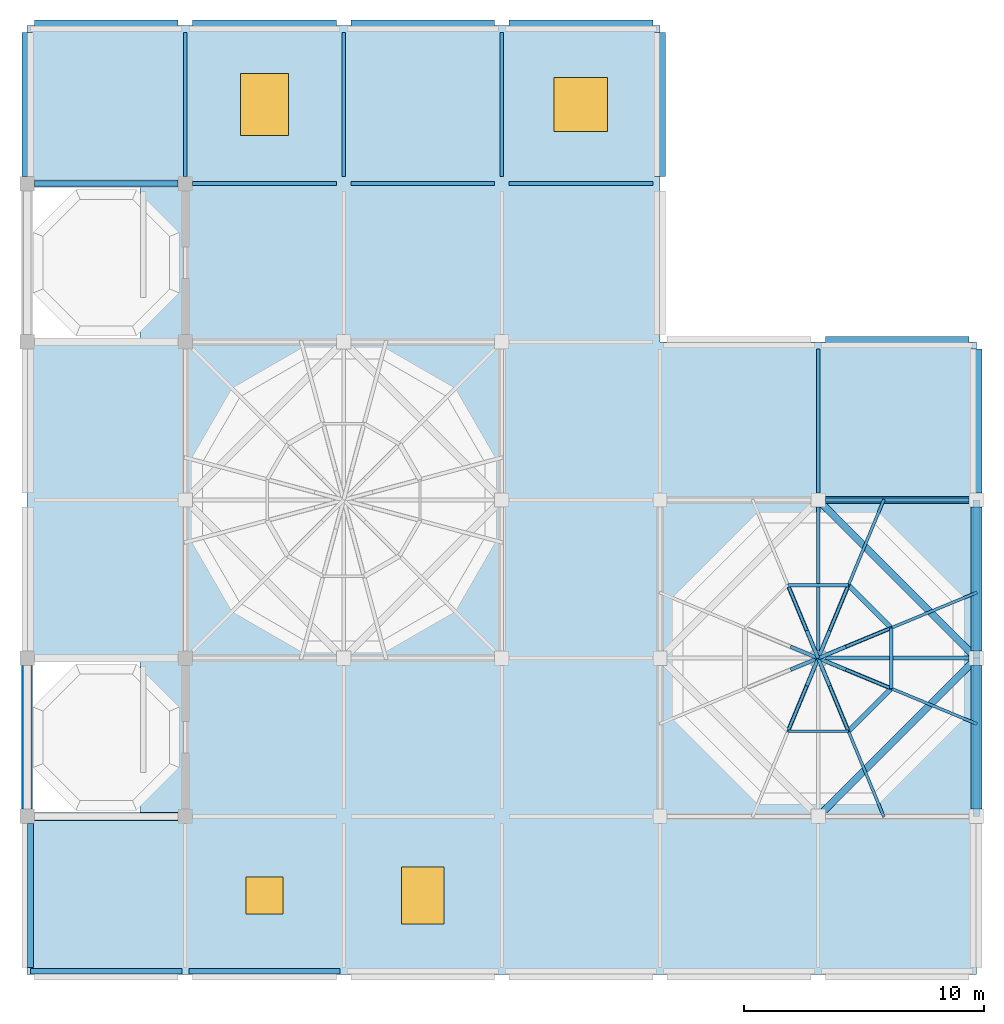
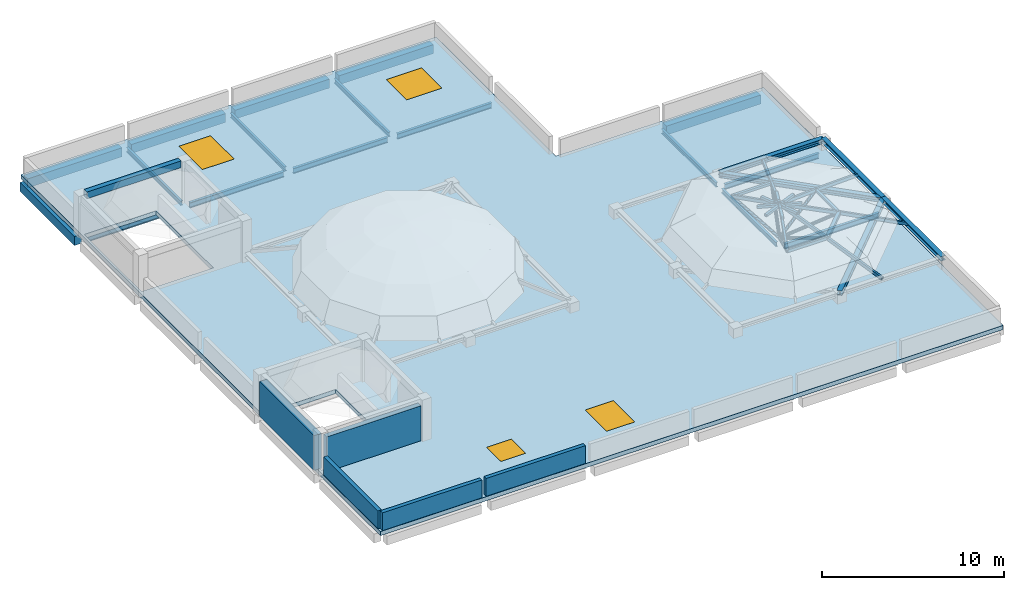
"""IFC4 building model written with IfcOpenShell, lengths in metres."""

from ifc_helpers import new_model, si_unit, direction, frame, frame_2d, origin, origin_2d, place, context, subcontext, project, spatial, polyline, rectangle, hollow_rectangle, hollow_circle, i_section, outline, extrude, material, layer, layer_set, material_profile, profile_set, type_object, element, fill, save


model = new_model("IFC4")

# Units and contexts
model_context = context("Model", 3, precision=1e-05, world=origin(), true_north=direction((0.0, 1.0)))
body_context = subcontext(model_context, "Body", "Model", "MODEL_VIEW")
ifc_project = project(units=[si_unit("LENGTHUNIT", "METRE"), si_unit("AREAUNIT", "SQUARE_METRE"), si_unit("VOLUMEUNIT", "CUBIC_METRE"), si_unit("PLANEANGLEUNIT", "RADIAN"), si_unit("MASSUNIT", "GRAM", prefix="KILO")], contexts=[model_context])

# Site, building, storey
site_placement = place(None, origin())
site = spatial("IfcSite", under=ifc_project, at=site_placement, CompositionType="ELEMENT")
building_placement = place(site_placement, origin())
building = spatial("IfcBuilding", under=site, at=building_placement, Name="Rusizi Kubbe Research Institute", CompositionType="ELEMENT")
storey_1_placement = place(building_placement, frame((0.0, 0.0, 73.199951171875)))
storey_1 = spatial("IfcBuildingStorey", under=building, at=storey_1_placement, Name="ROOF", CompositionType="ELEMENT", Elevation=73.199951171875)

# Beams
ifc_material_1 = material(Name="Steel S355", Category="steel")
ifc_material_profile_1 = material_profile(ifc_material_1, i_section(OverallWidth=0.300048828125, OverallDepth=0.300048828125, WebThickness=0.010986328125, FlangeThickness=0.01904296875, at=origin_2d()), Name="HEB 300")
ifc_profile_set_1 = profile_set([ifc_material_profile_1], Name="Steel S355")
beam_type_1 = type_object("IfcBeamType", Name="BM-HEB300", PredefinedType="BEAM", material=ifc_profile_set_1)
beam_1_placement = place(storey_1_placement, frame((39.60009765625, 6.60009765625, 0.5), z_axis=(0.0, 1.0, 0.0), x_axis=(-1.0, 0.0, 0.0)))
element("IfcBeam", 1, at=beam_1_placement, inside=storey_1, type_object=beam_type_1, Name="Kubbe Dome Ring Beam DOME-CRN2 E1", PredefinedType="BEAM", context=body_context, shape_type="SweptSolid", body=[
    extrude(i_section(OverallWidth=0.300048828125, OverallDepth=0.300048828125, WebThickness=0.010986328125, FlangeThickness=0.01904296875, at=origin_2d()), origin(), (0.0, 0.0, 1.0), 6.599853515625),
])
for number, where, z_axis, x_axis, name in (
    (2, (39.60009765625, 13.199951171875, 0.5), (0.0, 1.0, 0.0), (-1.0, 0.0, 0.0), "Kubbe Dome Ring Beam DOME-CRN2 E2"),
    (3, (33.0, 19.800048828125, 0.5), (1.0, 0.0, 0.0), (0.0, 1.0, 0.0), "Kubbe Dome Ring Beam DOME-CRN2 N2"),
):
    element("IfcBeam", number, at=place(storey_1_placement, frame(where, z_axis=z_axis, x_axis=x_axis)), inside=storey_1, type_object=beam_type_1, Name=name, PredefinedType="BEAM", context=body_context, shape_type="SweptSolid", body=[
        extrude(i_section(OverallWidth=0.300048828125, OverallDepth=0.300048828125, WebThickness=0.010986328125, FlangeThickness=0.01904296875, at=origin_2d()), origin(), (0.0, 0.0, 1.0), 6.60009765625),
    ])
beam_2_placement = place(storey_1_placement, frame((33.0, 6.60009765625, 0.5), z_axis=(0.707119859409, 0.707093702722, 0.0), x_axis=(-0.707093702722, 0.707119859409, 0.0)))
element("IfcBeam", 4, at=beam_2_placement, inside=storey_1, type_object=beam_type_1, Name="Kubbe Dome Ring Beam DOME-CRN2 PSE", PredefinedType="BEAM", context=body_context, shape_type="SweptSolid", body=[
    extrude(i_section(OverallWidth=0.300048828125, OverallDepth=0.300048828125, WebThickness=0.010986328125, FlangeThickness=0.01904296875, at=origin_2d()), origin(), (0.0, 0.0, 1.0), 9.333740234375),
])
beam_3_placement = place(storey_1_placement, frame((39.60009765625, 13.199951171875, 0.5), z_axis=(-0.707106781187, 0.707106781187, 0.0), x_axis=(-0.707106781187, -0.707106781187, 0.0)))
element("IfcBeam", 5, at=beam_3_placement, inside=storey_1, type_object=beam_type_1, Name="Kubbe Dome Ring Beam DOME-CRN2 PNE", PredefinedType="BEAM", context=body_context, shape_type="SweptSolid", body=[
    extrude(i_section(OverallWidth=0.300048828125, OverallDepth=0.300048828125, WebThickness=0.010986328125, FlangeThickness=0.01904296875, at=origin_2d()), origin(), (0.0, 0.0, 1.0), 9.333984375),
])
ifc_material_2 = material(Name="Steel S355", Category="steel")
ifc_material_profile_2 = material_profile(ifc_material_2, i_section(OverallWidth=0.14990234375, OverallDepth=0.300048828125, WebThickness=0.007080078125, FlangeThickness=0.0107421875, at=origin_2d()), Name="IPE 300")
ifc_profile_set_2 = profile_set([ifc_material_profile_2], Name="Steel S355")
beam_type_2 = type_object("IfcBeamType", Name="BM-IPE300", PredefinedType="BEAM", material=ifc_profile_set_2)
for number, where, z_axis, x_axis, name in (
    (6, (6.60009765625, 33.300048828125, -0.429931640625), (0.0, 1.0, 0.0), (-1.0, 0.0, 0.0), "Grid Beam V ROOF (1,5)"),
    (7, (13.199951171875, 33.300048828125, -0.429931640625), (0.0, 1.0, 0.0), (-1.0, 0.0, 0.0), "Grid Beam V ROOF (2,5)"),
    (8, (19.800048828125, 33.300048828125, -0.429931640625), (0.0, 1.0, 0.0), (-1.0, 0.0, 0.0), "Grid Beam V ROOF (3,5)"),
    (9, (33.0, 13.5, -0.429931640625), (0.0, 1.0, 0.0), (-1.0, 0.0, 0.0), "Grid Beam V ROOF (5,2)"),
    (10, (33.0, 20.10009765625, -0.429931640625), (0.0, 1.0, 0.0), (-1.0, 0.0, 0.0), "Grid Beam V ROOF (5,3)"),
):
    element("IfcBeam", number, at=place(storey_1_placement, frame(where, z_axis=z_axis, x_axis=x_axis)), inside=storey_1, type_object=beam_type_2, Name=name, PredefinedType="BEAM", context=body_context, shape_type="SweptSolid", body=[
        extrude(i_section(OverallWidth=0.14990234375, OverallDepth=0.300048828125, WebThickness=0.007080078125, FlangeThickness=0.0107421875, at=origin_2d()), origin(), (0.0, 0.0, 1.0), 6.0),
    ])
ifc_material_3 = material(Name="Steel S355", Category="steel")
ifc_material_profile_3 = material_profile(ifc_material_3, i_section(OverallWidth=0.169921875, OverallDepth=0.360107421875, WebThickness=0.008056640625, FlangeThickness=0.0126953125, at=origin_2d()), Name="IPE 360")
ifc_profile_set_3 = profile_set([ifc_material_profile_3], Name="Steel S355")
beam_type_3 = type_object("IfcBeamType", Name="BM-IPE360", PredefinedType="BEAM", material=ifc_profile_set_3)
for number, where, z_axis, x_axis, name in (
    (11, (0.300048828125, 33.0, -0.4599609375), (1.0, 0.0, 0.0), (0.0, 1.0, 0.0), "Grid Beam H ROOF (0,5)"),
    (12, (6.89990234375, 33.0, -0.4599609375), (1.0, 0.0, 0.0), (0.0, 1.0, 0.0), "Grid Beam H ROOF (1,5)"),
    (13, (13.5, 33.0, -0.4599609375), (1.0, 0.0, 0.0), (0.0, 1.0, 0.0), "Grid Beam H ROOF (2,5)"),
    (14, (20.10009765625, 33.0, -0.4599609375), (1.0, 0.0, 0.0), (0.0, 1.0, 0.0), "Grid Beam H ROOF (3,5)"),
    (15, (33.300048828125, 13.199951171875, -0.4599609375), (1.0, 0.0, 0.0), (0.0, 1.0, 0.0), "Grid Beam H ROOF (5,2)"),
    (16, (33.300048828125, 19.800048828125, -0.4599609375), (1.0, 0.0, 0.0), (0.0, 1.0, 0.0), "Grid Beam H ROOF (5,3)"),
):
    element("IfcBeam", number, at=place(storey_1_placement, frame(where, z_axis=z_axis, x_axis=x_axis)), inside=storey_1, type_object=beam_type_3, Name=name, PredefinedType="BEAM", context=body_context, shape_type="SweptSolid", body=[
        extrude(i_section(OverallWidth=0.169921875, OverallDepth=0.360107421875, WebThickness=0.008056640625, FlangeThickness=0.0126953125, at=origin_2d()), origin(), (0.0, 0.0, 1.0), 6.0),
    ])
ifc_material_4 = material(Name="Concrete C40/50", Category="concrete")
ifc_material_profile_4 = material_profile(ifc_material_4, rectangle(XDim=0.300048828125, YDim=0.449951171875, at=origin_2d()), Name="RC300x450")
ifc_profile_set_4 = profile_set([ifc_material_profile_4], Name="Concrete C40/50")
beam_type_4 = type_object("IfcBeamType", Name="BM-RC300x450", PredefinedType="LINTEL", material=ifc_profile_set_4)
beam_4_placement = place(storey_1_placement, frame((0.300048828125, 33.0, 2.574951171875), z_axis=(1.0, 0.0, 0.0), x_axis=(0.0, 1.0, 0.0)))
element("IfcBeam", 17, at=beam_4_placement, inside=storey_1, type_object=beam_type_4, Name="Roof Stair Headhouse Beam ST2 North", PredefinedType="LINTEL", context=body_context, shape_type="SweptSolid", body=[
    extrude(rectangle(XDim=0.300048828125, YDim=0.449951171875, at=origin_2d()), origin(), (0.0, 0.0, 1.0), 6.0),
])
ifc_material_5 = material(Name="Concrete C40/50", Category="concrete")
ifc_material_profile_5 = material_profile(ifc_material_5, rectangle(XDim=0.449951171875, YDim=0.60009765625, at=origin_2d()), Name="RC450x600")
ifc_profile_set_5 = profile_set([ifc_material_profile_5], Name="Concrete C40/50")
beam_type_5 = type_object("IfcBeamType", Name="BM-RC450x600", PredefinedType="SPANDREL", material=ifc_profile_set_5)
for number, where, z_axis, x_axis, name in (
    (18, (0.300048828125, 39.60009765625, -0.579833984375), (1.0, 0.0, 0.0), (0.0, 1.0, 0.0), "Grid Beam H ROOF (0,6)"),
    (19, (6.89990234375, 39.60009765625, -0.579833984375), (1.0, 0.0, 0.0), (0.0, 1.0, 0.0), "Grid Beam H ROOF (1,6)"),
    (20, (13.5, 39.60009765625, -0.579833984375), (1.0, 0.0, 0.0), (0.0, 1.0, 0.0), "Grid Beam H ROOF (2,6)"),
    (21, (20.10009765625, 39.60009765625, -0.579833984375), (1.0, 0.0, 0.0), (0.0, 1.0, 0.0), "Grid Beam H ROOF (3,6)"),
    (22, (33.300048828125, 26.39990234375, -0.579833984375), (1.0, 0.0, 0.0), (0.0, 1.0, 0.0), "Grid Beam H ROOF (5,4)"),
    (23, (0.0, 33.300048828125, -0.579833984375), (0.0, 1.0, 0.0), (-1.0, 0.0, 0.0), "Grid Beam V ROOF (0,5)"),
    (24, (26.39990234375, 33.300048828125, -0.579833984375), (0.0, 1.0, 0.0), (-1.0, 0.0, 0.0), "Grid Beam V ROOF (4,5)"),
    (25, (39.60009765625, 6.89990234375, -0.579833984375), (0.0, 1.0, 0.0), (-1.0, 0.0, 0.0), "Grid Beam V ROOF (6,1)"),
    (26, (39.60009765625, 13.5, -0.579833984375), (0.0, 1.0, 0.0), (-1.0, 0.0, 0.0), "Grid Beam V ROOF (6,2)"),
    (27, (39.60009765625, 20.10009765625, -0.579833984375), (0.0, 1.0, 0.0), (-1.0, 0.0, 0.0), "Grid Beam V ROOF (6,3)"),
):
    element("IfcBeam", number, at=place(storey_1_placement, frame(where, z_axis=z_axis, x_axis=x_axis)), inside=storey_1, type_object=beam_type_5, Name=name, PredefinedType="SPANDREL", context=body_context, shape_type="SweptSolid", body=[
        extrude(rectangle(XDim=0.449951171875, YDim=0.60009765625, at=origin_2d()), origin(), (0.0, 0.0, 1.0), 6.0),
    ])

# Members
ifc_material_6 = material(Name="Steel S355", Category="steel")
ifc_material_profile_6 = material_profile(ifc_material_6, hollow_circle(Radius=0.084228515625, WallThickness=0.00634765625, at=origin_2d()), Name="CHS 168.3x6.3")
ifc_profile_set_6 = profile_set([ifc_material_profile_6], Name="Steel S355")
member_type_1 = type_object("IfcMemberType", Name="MB-CHS168", PredefinedType="STRUT", material=ifc_profile_set_6)
for number, where, z_axis, x_axis, name in (
    (28, (33.0, 13.199951171875, 0.199951171875), (0.850962654289, 0.352500785605, 0.389365839735), (-0.382702441477, 0.92387165845, 0.0), "Kubbe Radial King-Post Strut DOME-CRN2-1"),
    (29, (33.0, 13.199951171875, 0.199951171875), (0.352500785605, 0.850962654289, 0.389365839735), (-0.92387165845, 0.382702441477, 0.0), "Kubbe Radial King-Post Strut DOME-CRN2-2"),
    (30, (33.0, 13.199951171875, 0.199951171875), (-0.352500785605, 0.850962654289, 0.389365839735), (-0.92387165845, -0.382702441477, 0.0), "Kubbe Radial King-Post Strut DOME-CRN2-3"),
    (31, (33.0, 13.199951171875, 0.199951171875), (-0.352500785605, -0.850962654289, 0.389365839735), (0.92387165845, -0.382702441477, 0.0), "Kubbe Radial King-Post Strut DOME-CRN2-6"),
    (32, (33.0, 13.199951171875, 0.199951171875), (0.352500785605, -0.850962654289, 0.389365839735), (0.92387165845, 0.382702441477, 0.0), "Kubbe Radial King-Post Strut DOME-CRN2-7"),
    (33, (33.0, 13.199951171875, 0.199951171875), (0.850983093394, -0.352441108187, 0.389375191836), (0.382639293348, 0.923897814256, 0.0), "Kubbe Radial King-Post Strut DOME-CRN2-8"),
):
    element("IfcMember", number, at=place(storey_1_placement, frame(where, z_axis=z_axis, x_axis=x_axis)), inside=storey_1, type_object=member_type_1, Name=name, PredefinedType="STRUT", context=body_context, shape_type="SweptSolid", body=[
        extrude(hollow_circle(Radius=0.084228515625, WallThickness=0.00634765625, at=origin_2d()), origin(), (0.0, 0.0, 1.0), 3.582763671875),
    ])
ifc_material_7 = material(Name="Steel S355", Category="steel")
ifc_material_profile_7 = material_profile(ifc_material_7, hollow_rectangle(XDim=0.10009765625, YDim=0.179931640625, WallThickness=0.008056640625, at=origin_2d()), Name="RHS 180x100x8.0")
ifc_profile_set_7 = profile_set([ifc_material_profile_7], Name="Steel S355")
member_type_2 = type_object("IfcMemberType", Name="MB-RHS180", PredefinedType="PURLIN", material=ifc_profile_set_7)
member_1_placement = place(storey_1_placement, frame((31.737060546875, 10.151123046875, 1.594970703125), z_axis=(1.0, 0.0, 0.0), x_axis=(0.0, 1.0, 0.0)))
element("IfcMember", 34, at=member_1_placement, inside=storey_1, type_object=member_type_2, Name="Kubbe Vault Hoop Purlin Mid DOME-CRN2-6", PredefinedType="PURLIN", context=body_context, shape_type="SweptSolid", body=[
    extrude(hollow_rectangle(XDim=0.10009765625, YDim=0.179931640625, WallThickness=0.008056640625, at=origin_2d()), origin(), (0.0, 0.0, 1.0), 2.52587890625),
])
ifc_material_8 = material(Name="Steel S355", Category="steel")
ifc_material_profile_8 = material_profile(ifc_material_8, hollow_rectangle(XDim=0.1201171875, YDim=0.199951171875, WallThickness=0.008056640625, at=origin_2d()), Name="RHS 200x120x8.0")
ifc_profile_set_8 = profile_set([ifc_material_profile_8], Name="Steel S355")
member_type_3 = type_object("IfcMemberType", Name="MB-RHS200", PredefinedType="RAFTER", material=ifc_profile_set_8)
member_2_placement = place(storey_1_placement, frame((39.60009765625, 15.933837890625, 0.5), z_axis=(-0.888535109742, -0.36803410121, 0.273963974096), x_axis=(0.38267527446, -0.923882911584, 0.0)))
element("IfcMember", 35, at=member_2_placement, inside=storey_1, type_object=member_type_3, Name="Kubbe Arch Rib Lower DOME-CRN2-1", PredefinedType="RAFTER", context=body_context, shape_type="SweptSolid", body=[
    extrude(hollow_rectangle(XDim=0.1201171875, YDim=0.199951171875, WallThickness=0.008056640625, at=origin_2d()), origin(), (0.0, 0.0, 1.0), 3.996826171875),
])
member_3_placement = place(storey_1_placement, frame((36.048828125, 14.462890625, 1.594970703125), z_axis=(-0.892339932443, -0.369640812823, 0.259027246565), x_axis=(0.382702441477, -0.92387165845, 0.0)))
element("IfcMember", 36, at=member_3_placement, inside=storey_1, type_object=member_type_3, Name="Kubbe Arch Rib Upper DOME-CRN2-1", PredefinedType="RAFTER", context=body_context, shape_type="SweptSolid", body=[
    extrude(hollow_rectangle(XDim=0.1201171875, YDim=0.199951171875, WallThickness=0.008056640625, at=origin_2d()), origin(), (0.0, 0.0, 1.0), 3.416748046875),
])
member_4_placement = place(storey_1_placement, frame((35.73388671875, 19.800048828125, 0.5), z_axis=(-0.36803410121, -0.888535109742, 0.273963974096), x_axis=(0.923882911584, -0.38267527446, 0.0)))
element("IfcMember", 37, at=member_4_placement, inside=storey_1, type_object=member_type_3, Name="Kubbe Arch Rib Lower DOME-CRN2-2", PredefinedType="RAFTER", context=body_context, shape_type="SweptSolid", body=[
    extrude(hollow_rectangle(XDim=0.1201171875, YDim=0.199951171875, WallThickness=0.008056640625, at=origin_2d()), origin(), (0.0, 0.0, 1.0), 3.996826171875),
])
for number, where, z_axis, x_axis, name in (
    (38, (34.262939453125, 16.248779296875, 1.594970703125), (-0.369640812823, -0.892339932443, 0.259027246565), (0.92387165845, -0.382702441477, 0.0), "Kubbe Arch Rib Upper DOME-CRN2-2"),
    (39, (31.737060546875, 16.248779296875, 1.594970703125), (0.369640812823, -0.892339932443, 0.259027246565), (0.92387165845, 0.382702441477, 0.0), "Kubbe Arch Rib Upper DOME-CRN2-3"),
    (40, (31.737060546875, 10.151123046875, 1.594970703125), (0.369640812823, 0.892339932443, 0.259027246565), (-0.92387165845, 0.382702441477, 0.0), "Kubbe Arch Rib Upper DOME-CRN2-6"),
):
    element("IfcMember", number, at=place(storey_1_placement, frame(where, z_axis=z_axis, x_axis=x_axis)), inside=storey_1, type_object=member_type_3, Name=name, PredefinedType="RAFTER", context=body_context, shape_type="SweptSolid", body=[
        extrude(hollow_rectangle(XDim=0.1201171875, YDim=0.199951171875, WallThickness=0.008056640625, at=origin_2d()), origin(), (0.0, 0.0, 1.0), 3.416748046875),
    ])
member_5_placement = place(storey_1_placement, frame((35.73388671875, 6.60009765625, 0.5), z_axis=(-0.368054077466, 0.888522250081, 0.273978844387), x_axis=(-0.923873609669, -0.382697731059, 0.0)))
element("IfcMember", 41, at=member_5_placement, inside=storey_1, type_object=member_type_3, Name="Kubbe Arch Rib Lower DOME-CRN2-7", PredefinedType="RAFTER", context=body_context, shape_type="SweptSolid", body=[
    extrude(hollow_rectangle(XDim=0.1201171875, YDim=0.199951171875, WallThickness=0.008056640625, at=origin_2d()), origin(), (0.0, 0.0, 1.0), 3.99658203125),
])
member_6_placement = place(storey_1_placement, frame((34.262939453125, 10.151123046875, 1.594970703125), z_axis=(-0.369640812823, 0.892339932443, 0.259027246565), x_axis=(-0.92387165845, -0.382702441477, 0.0)))
element("IfcMember", 42, at=member_6_placement, inside=storey_1, type_object=member_type_3, Name="Kubbe Arch Rib Upper DOME-CRN2-7", PredefinedType="RAFTER", context=body_context, shape_type="SweptSolid", body=[
    extrude(hollow_rectangle(XDim=0.1201171875, YDim=0.199951171875, WallThickness=0.008056640625, at=origin_2d()), origin(), (0.0, 0.0, 1.0), 3.416748046875),
])
member_7_placement = place(storey_1_placement, frame((39.60009765625, 10.46630859375, 0.5), z_axis=(-0.888535109742, 0.36803410121, 0.273963974096), x_axis=(-0.38267527446, -0.923882911584, 0.0)))
element("IfcMember", 43, at=member_7_placement, inside=storey_1, type_object=member_type_3, Name="Kubbe Arch Rib Lower DOME-CRN2-8", PredefinedType="RAFTER", context=body_context, shape_type="SweptSolid", body=[
    extrude(hollow_rectangle(XDim=0.1201171875, YDim=0.199951171875, WallThickness=0.008056640625, at=origin_2d()), origin(), (0.0, 0.0, 1.0), 3.996826171875),
])
member_8_placement = place(storey_1_placement, frame((36.048828125, 11.937255859375, 1.594970703125), z_axis=(-0.892363500453, 0.369579117901, 0.259034087856), x_axis=(-0.382639293348, -0.923897814256, 0.0)))
element("IfcMember", 44, at=member_8_placement, inside=storey_1, type_object=member_type_3, Name="Kubbe Arch Rib Upper DOME-CRN2-8", PredefinedType="RAFTER", context=body_context, shape_type="SweptSolid", body=[
    extrude(hollow_rectangle(XDim=0.1201171875, YDim=0.199951171875, WallThickness=0.008056640625, at=origin_2d()), origin(), (0.0, 0.0, 1.0), 3.41650390625),
])
ifc_material_9 = material(Name="Steel S355", Category="steel")
ifc_material_profile_9 = material_profile(ifc_material_9, hollow_rectangle(XDim=0.14990234375, YDim=0.14990234375, WallThickness=0.008056640625, at=origin_2d()), Name="SHS 150x150x8.0")
ifc_profile_set_9 = profile_set([ifc_material_profile_9], Name="Steel S355")
member_type_4 = type_object("IfcMemberType", Name="MB-SHS150", PredefinedType="PURLIN", material=ifc_profile_set_9)
member_9_placement = place(storey_1_placement, frame((33.0, 13.199951171875, 2.400146484375), z_axis=(0.923826362943, 0.382811769845, 0.0), x_axis=(-0.382811769845, 0.923826362943, 0.0)))
element("IfcMember", 45, at=member_9_placement, inside=storey_1, type_object=member_type_4, Name="Kubbe Crown Collar DOME-CRN2-1", PredefinedType="PURLIN", context=body_context, shape_type="SweptSolid", body=[
    extrude(hollow_rectangle(XDim=0.14990234375, YDim=0.14990234375, WallThickness=0.008056640625, at=origin_2d()), origin(), (0.0, 0.0, 1.0), 1.25),
])
member_10_placement = place(storey_1_placement, frame((34.262939453125, 16.248779296875, 1.594970703125), z_axis=(-1.0, 0.0, 0.0), x_axis=(0.0, -1.0, 0.0)))
element("IfcMember", 46, at=member_10_placement, inside=storey_1, type_object=member_type_4, Name="Kubbe Vault Hoop Purlin Mid DOME-CRN2-2", PredefinedType="PURLIN", context=body_context, shape_type="SweptSolid", body=[
    extrude(hollow_rectangle(XDim=0.14990234375, YDim=0.14990234375, WallThickness=0.008056640625, at=origin_2d()), origin(), (0.0, 0.0, 1.0), 2.52587890625),
])
for number, where, z_axis, x_axis, name in (
    (47, (33.0, 13.199951171875, 2.400146484375), (0.382645061011, 0.923895425513, 0.0), (-0.923895425513, 0.382645061011, 0.0), "Kubbe Crown Collar DOME-CRN2-2"),
    (48, (33.0, 13.199951171875, 2.400146484375), (-0.382645061011, 0.923895425513, 0.0), (-0.923895425513, -0.382645061011, 0.0), "Kubbe Crown Collar DOME-CRN2-3"),
    (49, (33.0, 13.199951171875, 2.400146484375), (-0.923826362943, 0.382811769845, 0.0), (-0.382811769845, -0.923826362943, 0.0), "Kubbe Crown Collar DOME-CRN2-4"),
    (50, (33.0, 13.199951171875, 2.400146484375), (-0.923895425513, -0.382645061011, 0.0), (0.382645061011, -0.923895425513, 0.0), "Kubbe Crown Collar DOME-CRN2-5"),
    (51, (33.0, 13.199951171875, 2.400146484375), (-0.382645061011, -0.923895425513, 0.0), (0.923895425513, -0.382645061011, 0.0), "Kubbe Crown Collar DOME-CRN2-6"),
    (52, (33.0, 13.199951171875, 2.400146484375), (0.382645061011, -0.923895425513, 0.0), (0.923895425513, 0.382645061011, 0.0), "Kubbe Crown Collar DOME-CRN2-7"),
):
    element("IfcMember", number, at=place(storey_1_placement, frame(where, z_axis=z_axis, x_axis=x_axis)), inside=storey_1, type_object=member_type_4, Name=name, PredefinedType="PURLIN", context=body_context, shape_type="SweptSolid", body=[
        extrude(hollow_rectangle(XDim=0.14990234375, YDim=0.14990234375, WallThickness=0.008056640625, at=origin_2d()), origin(), (0.0, 0.0, 1.0), 1.25),
    ])
member_11_placement = place(storey_1_placement, frame((36.048828125, 11.937255859375, 1.594970703125), z_axis=(0.0, 1.0, 0.0), x_axis=(-1.0, 0.0, 0.0)))
element("IfcMember", 53, at=member_11_placement, inside=storey_1, type_object=member_type_4, Name="Kubbe Vault Hoop Purlin Mid DOME-CRN2-8", PredefinedType="PURLIN", context=body_context, shape_type="SweptSolid", body=[
    extrude(hollow_rectangle(XDim=0.14990234375, YDim=0.14990234375, WallThickness=0.008056640625, at=origin_2d()), origin(), (0.0, 0.0, 1.0), 2.525634765625),
])
member_12_placement = place(storey_1_placement, frame((33.0, 13.199951171875, 2.400146484375), z_axis=(0.923895425513, -0.382645061011, 0.0), x_axis=(0.382645061011, 0.923895425513, 0.0)))
element("IfcMember", 54, at=member_12_placement, inside=storey_1, type_object=member_type_4, Name="Kubbe Crown Collar DOME-CRN2-8", PredefinedType="PURLIN", context=body_context, shape_type="SweptSolid", body=[
    extrude(hollow_rectangle(XDim=0.14990234375, YDim=0.14990234375, WallThickness=0.008056640625, at=origin_2d()), origin(), (0.0, 0.0, 1.0), 1.25),
])
ifc_material_10 = material(Name="Steel S355", Category="steel")
ifc_material_profile_10 = material_profile(ifc_material_10, hollow_rectangle(XDim=0.199951171875, YDim=0.199951171875, WallThickness=0.010009765625, at=origin_2d()), Name="SHS 200x200x10.0")
ifc_profile_set_10 = profile_set([ifc_material_profile_10], Name="Steel S355")
member_type_5 = type_object("IfcMemberType", Name="MB-SHS200", PredefinedType="PURLIN", material=ifc_profile_set_10)
member_13_placement = place(storey_1_placement, frame((36.048828125, 14.462890625, 1.594970703125), z_axis=(-0.707106781187, 0.707106781187, 0.0), x_axis=(-0.707106781187, -0.707106781187, 0.0)))
element("IfcMember", 55, at=member_13_placement, inside=storey_1, type_object=member_type_5, Name="Kubbe Vault Hoop Purlin Mid DOME-CRN2-1", PredefinedType="PURLIN", context=body_context, shape_type="SweptSolid", body=[
    extrude(hollow_rectangle(XDim=0.199951171875, YDim=0.199951171875, WallThickness=0.010009765625, at=origin_2d()), origin(), (0.0, 0.0, 1.0), 2.525634765625),
])
member_14_placement = place(storey_1_placement, frame((34.262939453125, 10.151123046875, 1.594970703125), z_axis=(0.707058450181, 0.707155108889, 0.0), x_axis=(-0.707155108889, 0.707058450181, 0.0)))
element("IfcMember", 56, at=member_14_placement, inside=storey_1, type_object=member_type_5, Name="Kubbe Vault Hoop Purlin Mid DOME-CRN2-7", PredefinedType="PURLIN", context=body_context, shape_type="SweptSolid", body=[
    extrude(hollow_rectangle(XDim=0.199951171875, YDim=0.199951171875, WallThickness=0.010009765625, at=origin_2d()), origin(), (0.0, 0.0, 1.0), 2.52587890625),
])

# Slab, openings
ifc_material_11 = material(Name="Concrete C40/50", Category="concrete")
ifc_layer_1 = layer(ifc_material_11, 0.280029296875)
ifc_layer_set_1 = layer_set([ifc_layer_1], Name="Concrete C40/50")
slab_type = type_object("IfcSlabType", Name="SL-R280", PredefinedType="ROOF", material=ifc_layer_set_1)
slab_placement = place(storey_1_placement, frame((0.0, 0.0, -0.280029296875)))
slab = element("IfcSlab", 57, at=slab_placement, inside=storey_1, type_object=slab_type, Name="Main Tower Roof Slab L16", PredefinedType="ROOF", context=body_context, shape_type="SweptSolid", body=[
    extrude(outline(polyline([(0.0, 33.0), (0.0, 39.60009765625), (6.60009765625, 39.60009765625), (13.199951171875, 39.60009765625), (19.800048828125, 39.60009765625), (26.39990234375, 39.60009765625), (26.39990234375, 33.0), (26.39990234375, 26.39990234375), (33.0, 26.39990234375), (39.60009765625, 26.39990234375), (39.60009765625, 19.800048828125), (39.60009765625, 13.199951171875), (39.60009765625, 6.60009765625), (39.60009765625, 0.0), (33.0, 0.0), (26.39990234375, 0.0), (19.800048828125, 0.0), (13.199951171875, 0.0), (6.60009765625, 0.0), (0.0, 0.0), (0.0, 6.60009765625), (0.0, 13.199951171875), (0.0, 19.800048828125), (0.0, 26.39990234375), (0.0, 33.0)]), holes=[polyline([(4.699951171875, 6.739990234375), (4.699951171875, 13.06005859375), (0.139892578125, 13.06005859375), (0.139892578125, 6.739990234375), (4.699951171875, 6.739990234375)]), polyline([(4.699951171875, 26.5400390625), (4.699951171875, 32.860107421875), (0.139892578125, 32.860107421875), (0.139892578125, 26.5400390625), (4.699951171875, 26.5400390625)])]), origin(), (0.0, 0.0, 1.0), 0.280029296875),
])
opening_1_placement = place(slab_placement, frame((9.89990234375, 3.300048828125, -0.010009765625)))
opening_1 = element("IfcOpeningElement", 58, at=opening_1_placement, cuts=slab, Name="Opening SK-01", PredefinedType="OPENING", context=body_context, shape_type="SweptSolid", body=[
    extrude(rectangle(XDim=1.56005859375, YDim=1.56005859375, at=origin_2d()), origin(), (0.0, 0.0, 1.0), 0.300048828125),
])
opening_2_placement = place(slab_placement, frame((16.5, 3.300048828125, -0.010009765625)))
opening_2 = element("IfcOpeningElement", 59, at=opening_2_placement, cuts=slab, Name="Opening SK-02", PredefinedType="OPENING", context=body_context, shape_type="SweptSolid", body=[
    extrude(rectangle(XDim=1.780029296875, YDim=2.360107421875, at=origin_2d()), origin(), (0.0, 0.0, 1.0), 0.300048828125),
])
opening_3_placement = place(slab_placement, frame((9.89990234375, 36.300048828125, -0.010009765625)))
opening_3 = element("IfcOpeningElement", 60, at=opening_3_placement, cuts=slab, Name="Opening SK-03", PredefinedType="OPENING", context=body_context, shape_type="SweptSolid", body=[
    extrude(rectangle(XDim=2.02001953125, YDim=2.580078125, at=origin_2d()), origin(), (0.0, 0.0, 1.0), 0.300048828125),
])
opening_4_placement = place(slab_placement, frame((23.10009765625, 36.300048828125, -0.010009765625)))
opening_4 = element("IfcOpeningElement", 61, at=opening_4_placement, cuts=slab, Name="Opening SK-04", PredefinedType="OPENING", context=body_context, shape_type="SweptSolid", body=[
    extrude(rectangle(XDim=2.239990234375, YDim=2.239990234375, at=origin_2d()), origin(), (0.0, 0.0, 1.0), 0.300048828125),
])

# Storey
storey_2_placement = place(building_placement, frame((0.0, 0.0, 69.0)))
storey_2 = spatial("IfcBuildingStorey", under=building, at=storey_2_placement, Name="L16", CompositionType="ELEMENT", Elevation=69.0)

# Window
ifc_material_12 = material(Name="Laminated Insulated Roof Glazing", Category="glass")
window_type_1 = type_object("IfcWindowType", Name="SK-01", PartitioningType="SINGLE_PANEL", PredefinedType="SKYLIGHT", material=ifc_material_12)
window_1_placement = place(slab_placement, frame((9.89990234375, 3.300048828125, 0.22998046875)))
window_1 = element("IfcWindow", 62, at=window_1_placement, inside=storey_2, type_object=window_type_1, Name="Roof Skylight SK-01-09", OverallHeight=1.56005859375, OverallWidth=1.56005859375, PartitioningType="SINGLE_PANEL", PredefinedType="SKYLIGHT", context=body_context, shape_type="SweptSolid", body=[
    extrude(rectangle(XDim=1.56005859375, YDim=1.56005859375, at=origin_2d()), origin(), (0.0, 0.0, 1.0), 0.050048828125),
])

fill(opening_1, window_1)

ifc_material_13 = material(Name="Laminated Insulated Roof Glazing", Category="glass")
window_type_2 = type_object("IfcWindowType", Name="SK-02", PartitioningType="SINGLE_PANEL", PredefinedType="SKYLIGHT", material=ifc_material_13)
window_2_placement = place(slab_placement, frame((16.5, 3.300048828125, 0.22998046875)))
window_2 = element("IfcWindow", 63, at=window_2_placement, inside=storey_2, type_object=window_type_2, Name="Roof Skylight SK-02-10", OverallHeight=2.360107421875, OverallWidth=1.780029296875, PartitioningType="SINGLE_PANEL", PredefinedType="SKYLIGHT", context=body_context, shape_type="SweptSolid", body=[
    extrude(rectangle(XDim=1.780029296875, YDim=2.360107421875, at=origin_2d()), origin(), (0.0, 0.0, 1.0), 0.050048828125),
])

fill(opening_2, window_2)

ifc_material_14 = material(Name="Laminated Insulated Roof Glazing", Category="glass")
window_type_3 = type_object("IfcWindowType", Name="SK-03", PartitioningType="SINGLE_PANEL", PredefinedType="SKYLIGHT", material=ifc_material_14)
window_3_placement = place(slab_placement, frame((9.89990234375, 36.300048828125, 0.22998046875)))
window_3 = element("IfcWindow", 64, at=window_3_placement, inside=storey_2, type_object=window_type_3, Name="Roof Skylight SK-03-11", OverallHeight=2.580078125, OverallWidth=2.02001953125, PartitioningType="SINGLE_PANEL", PredefinedType="SKYLIGHT", context=body_context, shape_type="SweptSolid", body=[
    extrude(rectangle(XDim=2.02001953125, YDim=2.580078125, at=origin_2d()), origin(), (0.0, 0.0, 1.0), 0.050048828125),
])

fill(opening_3, window_3)

ifc_material_15 = material(Name="Laminated Insulated Roof Glazing", Category="glass")
window_type_4 = type_object("IfcWindowType", Name="SK-04", PartitioningType="SINGLE_PANEL", PredefinedType="SKYLIGHT", material=ifc_material_15)
window_4_placement = place(slab_placement, frame((23.10009765625, 36.300048828125, 0.22998046875)))
window_4 = element("IfcWindow", 65, at=window_4_placement, inside=storey_2, type_object=window_type_4, Name="Roof Skylight SK-04-12", OverallHeight=2.239990234375, OverallWidth=2.239990234375, PartitioningType="SINGLE_PANEL", PredefinedType="SKYLIGHT", context=body_context, shape_type="SweptSolid", body=[
    extrude(rectangle(XDim=2.239990234375, YDim=2.239990234375, at=origin_2d()), origin(), (0.0, 0.0, 1.0), 0.050048828125),
])

fill(opening_4, window_4)

# Walls
ifc_material_16 = material(Name="Volcanic Basalt Ashlar Masonry", Category="masonry")
ifc_layer_2 = layer(ifc_material_16, 0.324951171875)
ifc_layer_set_2 = layer_set([ifc_layer_2], Name="Volcanic Basalt Ashlar Masonry")
wall_type_1 = type_object("IfcWallType", Name="EW-08", PredefinedType="SOLIDWALL", material=ifc_layer_set_2)
wall_1_placement = place(storey_1_placement, frame((0.300048828125, 6.60009765625, 0.0), z_axis=(0.0, 0.0, 1.0), x_axis=(1.0, 0.0, 0.0)))
element("IfcWall", 66, at=wall_1_placement, inside=storey_1, type_object=wall_type_1, Name="Roof Stair Headhouse Wall ST1 South", PredefinedType="SOLIDWALL", context=body_context, shape_type="SweptSolid", body=[
    extrude(rectangle(XDim=6.0, YDim=0.324951171875, at=frame_2d((3.0, 0.0))), origin(), (0.0, 0.0, 1.0), 2.35009765625),
])
ifc_material_17 = material(Name="Volcanic Basalt Ashlar Masonry", Category="masonry")
ifc_layer_3 = layer(ifc_material_17, 0.239990234375)
ifc_layer_set_3 = layer_set([ifc_layer_3], Name="Volcanic Basalt Ashlar Masonry")
wall_type_2 = type_object("IfcWallType", Name="PRP-01", PredefinedType="PARAPET", material=ifc_layer_set_3)
wall_2_placement = place(storey_1_placement, frame((0.139892578125, 0.139892578125, 0.0), z_axis=(0.0, 0.0, 1.0), x_axis=(1.0, 0.0, 0.0)))
element("IfcWall", 67, at=wall_2_placement, inside=storey_1, type_object=wall_type_2, Name="Main Crown Roof Parapet 01", PredefinedType="PARAPET", context=body_context, shape_type="SweptSolid", body=[
    extrude(rectangle(XDim=6.320068359375, YDim=0.239990234375, at=frame_2d((3.16015625, 0.0))), origin(), (0.0, 0.0, 1.0), 1.199951171875),
])
wall_3_placement = place(storey_1_placement, frame((0.139892578125, 0.300048828125, 0.0), z_axis=(0.0, 0.0, 1.0), x_axis=(0.0, 1.0, 0.0)))
element("IfcWall", 68, at=wall_3_placement, inside=storey_1, type_object=wall_type_2, Name="Main Crown Roof Parapet 02", PredefinedType="PARAPET", context=body_context, shape_type="SweptSolid", body=[
    extrude(rectangle(XDim=6.0, YDim=0.239990234375, at=frame_2d((3.0, 0.0))), origin(), (0.0, 0.0, 1.0), 1.199951171875),
])
wall_4_placement = place(storey_1_placement, frame((6.739990234375, 0.139892578125, 0.0), z_axis=(0.0, 0.0, 1.0), x_axis=(1.0, 0.0, 0.0)))
element("IfcWall", 69, at=wall_4_placement, inside=storey_1, type_object=wall_type_2, Name="Main Crown Roof Parapet 07", PredefinedType="PARAPET", context=body_context, shape_type="SweptSolid", body=[
    extrude(rectangle(XDim=6.320068359375, YDim=0.239990234375, at=frame_2d((3.16015625, 0.0))), origin(), (0.0, 0.0, 1.0), 1.199951171875),
])
ifc_material_18 = material(Name="Concrete C40/50", Category="concrete")
ifc_layer_4 = layer(ifc_material_18, 0.4599609375)
ifc_layer_set_4 = layer_set([ifc_layer_4], Name="Concrete C40/50")
wall_type_3 = type_object("IfcWallType", Name="PW-02", PredefinedType="SOLIDWALL", material=ifc_layer_set_4)
wall_5_placement = place(storey_1_placement, frame((0.0, 6.89990234375, 0.0), z_axis=(0.0, 0.0, 1.0), x_axis=(0.0, 1.0, 0.0)))
element("IfcWall", 70, at=wall_5_placement, inside=storey_1, type_object=wall_type_3, Name="Roof Stair Headhouse Party Wall ST1 West", PredefinedType="SOLIDWALL", context=body_context, shape_type="SweptSolid", body=[
    extrude(rectangle(XDim=6.0, YDim=0.4599609375, at=frame_2d((3.0, 0.0))), origin(), (0.0, 0.0, 1.0), 2.35009765625),
])

save(model, "model.ifc")
